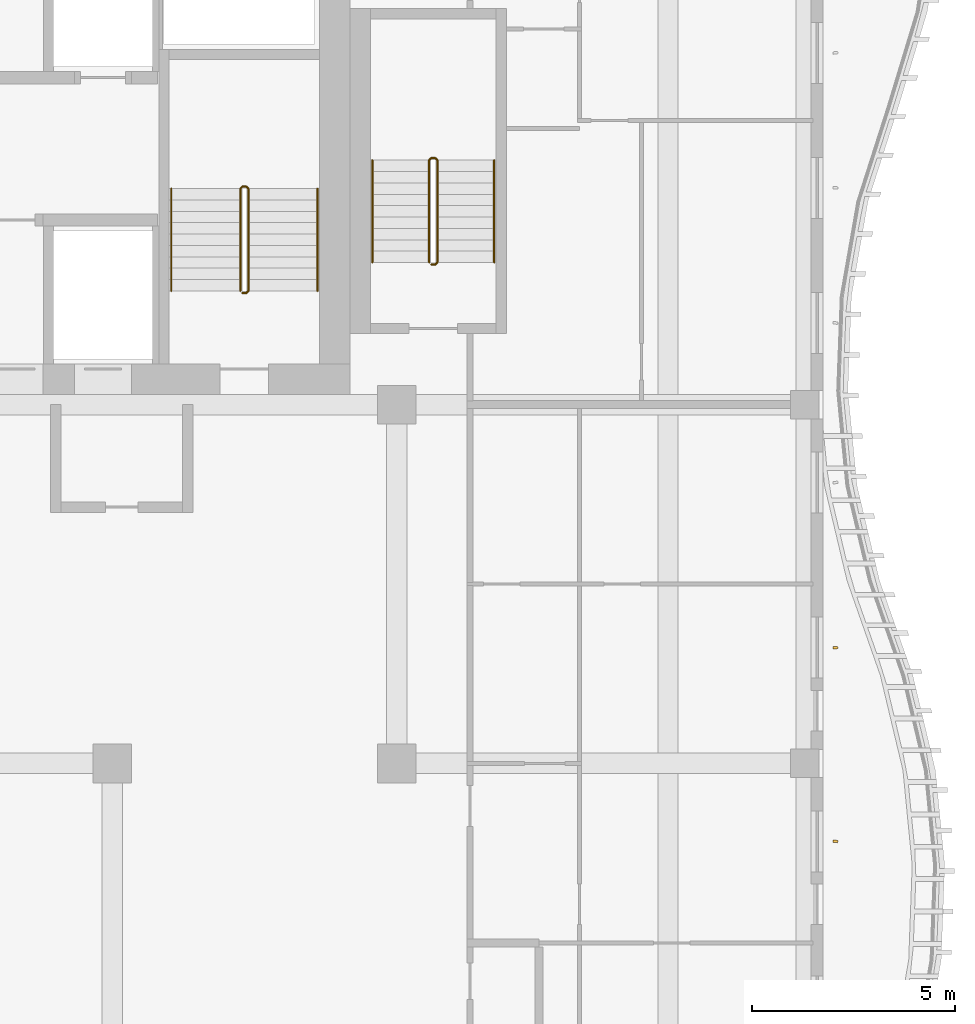
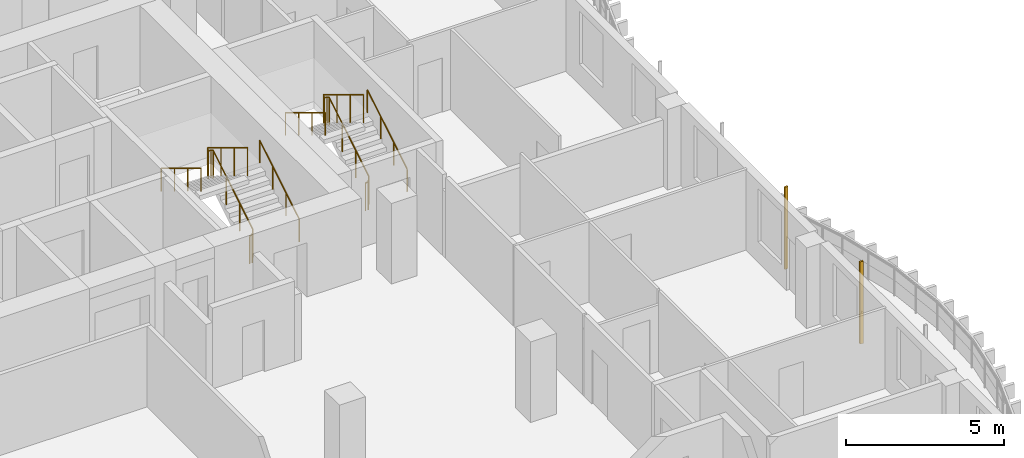
# One storey, part 17 of 19: 6 railings, 2 shading devices.
"""IFC4 building model written with IfcOpenShell, lengths in metres."""

from ifc_helpers import new_model, si_unit, direction, frame, origin, origin_2d, place, context, subcontext, project, spatial, rectangle, circle, extrude, source, transform, mapped, material, material_profile, profile_set, type_object, element, save


model = new_model("IFC4")

# Units and contexts
model_context = context("Model", 3, precision=1e-05, world=origin(), true_north=direction((0.0, 1.0)))
body_context = subcontext(model_context, "Body", "Model", "MODEL_VIEW")
ifc_project = project(units=[si_unit("LENGTHUNIT", "METRE"), si_unit("AREAUNIT", "SQUARE_METRE"), si_unit("VOLUMEUNIT", "CUBIC_METRE"), si_unit("PLANEANGLEUNIT", "RADIAN"), si_unit("MASSUNIT", "GRAM", prefix="KILO")], contexts=[model_context])

# Site, building, storey
site_placement = place(None, origin())
site = spatial("IfcSite", under=ifc_project, at=site_placement, CompositionType="ELEMENT")
building_placement = place(site_placement, origin())
building = spatial("IfcBuilding", under=site, at=building_placement, Name="Kilnfold Tower and Market Hall", CompositionType="ELEMENT")
storey_placement = place(building_placement, frame((0.0, 0.0, 245.800048828125)))
storey = spatial("IfcBuildingStorey", under=building, at=storey_placement, Name="L59", CompositionType="ELEMENT", Elevation=245.800048828125)

# Railings
ifc_material_1 = material(Name="Stainless steel 316", Category="steel")
railing_type_1 = type_object("IfcRailingType", Name="CORE STAIR GUARD 1100", PredefinedType="GUARDRAIL", material=ifc_material_1)
railing_1_placement = place(storey_placement, frame((15.199951171875, 10.75, 0.0)))
element("IfcRailing", 1, at=railing_1_placement, inside=storey, type_object=railing_type_1, Name="L59 ST2 stair guard 1", PredefinedType="GUARDRAIL", context=body_context, shape_type="SweptSolid", body=[
    extrude(circle(Radius=0.02392578125, at=origin_2d()), frame((0.0, 0.0, 1.076171875), z_axis=(1.0, 0.0, 0.0), x_axis=(0.0, 1.0, 0.0)), (0.0, 0.0, 1.0), 0.10009765625),
    extrude(circle(Radius=0.02392578125, at=origin_2d()), frame((0.10009765625, 0.0, 1.076171875), z_axis=(0.271895245746, 0.271895245746, 0.923117517265), x_axis=(-0.707106781187, 0.707106781187, 0.0)), (0.0, 0.0, 1.0), 0.18408203125),
    extrude(circle(Radius=0.02392578125, at=origin_2d()), frame((0.150146484375, 0.050048828125, 1.24609375), z_axis=(0.0, 0.85478489116, 0.518982456201), x_axis=(-1.0, 0.0, 0.0)), (0.0, 0.0, 1.0), 2.9482421875),
    extrude(circle(Radius=0.02392578125, at=origin_2d()), frame((0.150146484375, 2.570068359375, 2.77587890625), z_axis=(-0.707106781187, 0.707106781187, 0.0), x_axis=(-0.707106781187, -0.707106781187, 0.0)), (0.0, 0.0, 1.0), 0.07080078125),
    extrude(circle(Radius=0.02392578125, at=origin_2d()), frame((0.10009765625, 2.6201171875, 2.77587890625), z_axis=(-1.0, 0.0, 0.0), x_axis=(0.0, -1.0, 0.0)), (0.0, 0.0, 1.0), 0.10009765625),
    extrude(circle(Radius=0.02392578125, at=origin_2d()), frame((0.0, 2.6201171875, 2.77587890625), z_axis=(-0.271895245746, -0.271895245746, 0.923117517265), x_axis=(0.707106781187, -0.707106781187, 0.0)), (0.0, 0.0, 1.0), 0.18408203125),
    extrude(circle(Radius=0.02392578125, at=origin_2d()), frame((-0.050048828125, 2.570068359375, 2.94580078125), z_axis=(0.0, -0.85478489116, 0.518982456201), x_axis=(1.0, 0.0, 0.0)), (0.0, 0.0, 1.0), 2.9482421875),
    extrude(circle(Radius=0.02099609375, at=origin_2d()), origin(), (0.0, 0.0, 1.0), 1.052001953125),
    extrude(circle(Radius=0.02099609375, at=origin_2d()), frame((0.10009765625, 0.0, 0.0)), (0.0, 0.0, 1.0), 1.052001953125),
    extrude(circle(Radius=0.02099609375, at=origin_2d()), frame((0.150146484375, 0.050048828125, 0.169921875)), (0.0, 0.0, 1.0), 1.052001953125),
    extrude(circle(Radius=0.02099609375, at=origin_2d()), frame((0.150146484375, 0.89013671875, 0.679931640625)), (0.0, 0.0, 1.0), 1.052001953125),
    extrude(circle(Radius=0.02099609375, at=origin_2d()), frame((0.150146484375, 1.72998046875, 1.18994140625)), (0.0, 0.0, 1.0), 1.052001953125),
    extrude(circle(Radius=0.02099609375, at=origin_2d()), frame((0.150146484375, 2.570068359375, 1.699951171875)), (0.0, 0.0, 1.0), 1.052001953125),
    extrude(circle(Radius=0.02099609375, at=origin_2d()), frame((0.10009765625, 2.6201171875, 1.699951171875)), (0.0, 0.0, 1.0), 1.052001953125),
    extrude(circle(Radius=0.02099609375, at=origin_2d()), frame((0.0, 2.6201171875, 1.699951171875)), (0.0, 0.0, 1.0), 1.052001953125),
    extrude(circle(Radius=0.02099609375, at=origin_2d()), frame((-0.050048828125, 2.570068359375, 1.869873046875)), (0.0, 0.0, 1.0), 1.052001953125),
    extrude(circle(Radius=0.02099609375, at=origin_2d()), frame((-0.050048828125, 1.72998046875, 2.3798828125)), (0.0, 0.0, 1.0), 1.052001953125),
    extrude(circle(Radius=0.02099609375, at=origin_2d()), frame((-0.050048828125, 0.89013671875, 2.889892578125)), (0.0, 0.0, 1.0), 1.052001953125),
    extrude(circle(Radius=0.02099609375, at=origin_2d()), frame((-0.050048828125, 0.050048828125, 3.39990234375)), (0.0, 0.0, 1.0), 1.052001953125),
])
railing_2_placement = place(storey_placement, frame((19.85009765625, 11.449951171875, 0.0)))
element("IfcRailing", 2, at=railing_2_placement, inside=storey, type_object=railing_type_1, Name="L59 ST5 stair guard 1", PredefinedType="GUARDRAIL", context=body_context, shape_type="SweptSolid", body=[
    extrude(circle(Radius=0.02392578125, at=origin_2d()), frame((0.0, 0.0, 1.076171875), z_axis=(1.0, 0.0, 0.0), x_axis=(0.0, 1.0, 0.0)), (0.0, 0.0, 1.0), 0.099853515625),
    extrude(circle(Radius=0.02392578125, at=origin_2d()), frame((0.099853515625, 0.0, 1.076171875), z_axis=(0.271895245746, 0.271895245746, 0.923117517265), x_axis=(-0.707106781187, 0.707106781187, 0.0)), (0.0, 0.0, 1.0), 0.18408203125),
    extrude(circle(Radius=0.02392578125, at=origin_2d()), frame((0.14990234375, 0.050048828125, 1.24609375), z_axis=(0.0, 0.85478489116, 0.518982456201), x_axis=(-1.0, 0.0, 0.0)), (0.0, 0.0, 1.0), 2.9482421875),
    extrude(circle(Radius=0.02392578125, at=origin_2d()), frame((0.14990234375, 2.570068359375, 2.77587890625), z_axis=(-0.707106781187, 0.707106781187, 0.0), x_axis=(-0.707106781187, -0.707106781187, 0.0)), (0.0, 0.0, 1.0), 0.07080078125),
    extrude(circle(Radius=0.02392578125, at=origin_2d()), frame((0.099853515625, 2.6201171875, 2.77587890625), z_axis=(-1.0, 0.0, 0.0), x_axis=(0.0, -1.0, 0.0)), (0.0, 0.0, 1.0), 0.099853515625),
    extrude(circle(Radius=0.02392578125, at=origin_2d()), frame((0.0, 2.6201171875, 2.77587890625), z_axis=(-0.271895245746, -0.271895245746, 0.923117517265), x_axis=(0.707106781187, -0.707106781187, 0.0)), (0.0, 0.0, 1.0), 0.18408203125),
    extrude(circle(Radius=0.02392578125, at=origin_2d()), frame((-0.050048828125, 2.570068359375, 2.94580078125), z_axis=(0.0, -0.85478489116, 0.518982456201), x_axis=(1.0, 0.0, 0.0)), (0.0, 0.0, 1.0), 2.9482421875),
    extrude(circle(Radius=0.02099609375, at=origin_2d()), origin(), (0.0, 0.0, 1.0), 1.052001953125),
    extrude(circle(Radius=0.02099609375, at=origin_2d()), frame((0.099853515625, 0.0, 0.0)), (0.0, 0.0, 1.0), 1.052001953125),
    extrude(circle(Radius=0.02099609375, at=origin_2d()), frame((0.14990234375, 0.050048828125, 0.169921875)), (0.0, 0.0, 1.0), 1.052001953125),
    extrude(circle(Radius=0.02099609375, at=origin_2d()), frame((0.14990234375, 0.89013671875, 0.679931640625)), (0.0, 0.0, 1.0), 1.052001953125),
    extrude(circle(Radius=0.02099609375, at=origin_2d()), frame((0.14990234375, 1.72998046875, 1.18994140625)), (0.0, 0.0, 1.0), 1.052001953125),
    extrude(circle(Radius=0.02099609375, at=origin_2d()), frame((0.14990234375, 2.570068359375, 1.699951171875)), (0.0, 0.0, 1.0), 1.052001953125),
    extrude(circle(Radius=0.02099609375, at=origin_2d()), frame((0.099853515625, 2.6201171875, 1.699951171875)), (0.0, 0.0, 1.0), 1.052001953125),
    extrude(circle(Radius=0.02099609375, at=origin_2d()), frame((0.0, 2.6201171875, 1.699951171875)), (0.0, 0.0, 1.0), 1.052001953125),
    extrude(circle(Radius=0.02099609375, at=origin_2d()), frame((-0.050048828125, 2.570068359375, 1.869873046875)), (0.0, 0.0, 1.0), 1.052001953125),
    extrude(circle(Radius=0.02099609375, at=origin_2d()), frame((-0.050048828125, 1.72998046875, 2.3798828125)), (0.0, 0.0, 1.0), 1.052001953125),
    extrude(circle(Radius=0.02099609375, at=origin_2d()), frame((-0.050048828125, 0.89013671875, 2.889892578125)), (0.0, 0.0, 1.0), 1.052001953125),
    extrude(circle(Radius=0.02099609375, at=origin_2d()), frame((-0.050048828125, 0.050048828125, 3.39990234375)), (0.0, 0.0, 1.0), 1.052001953125),
])
ifc_material_2 = material(Name="Stainless steel 316", Category="steel")
railing_type_2 = type_object("IfcRailingType", Name="CORE STAIR HANDRAIL 900", PredefinedType="HANDRAIL", material=ifc_material_2)
railing_3_placement = place(storey_placement, frame((17.050048828125, 10.800048828125, 0.169921875)))
element("IfcRailing", 3, at=railing_3_placement, inside=storey, type_object=railing_type_2, Name="L59 ST2 stair handrail 1", PredefinedType="HANDRAIL", context=body_context, shape_type="SweptSolid", body=[
    extrude(circle(Radius=0.02392578125, at=origin_2d()), frame((0.0, 0.0, 0.8759765625), z_axis=(0.0, 0.85478489116, 0.518982456201), x_axis=(-1.0, 0.0, 0.0)), (0.0, 0.0, 1.0), 2.9482421875),
    extrude(circle(Radius=0.02099609375, at=origin_2d()), origin(), (0.0, 0.0, 1.0), 0.851806640625),
    extrude(circle(Radius=0.02099609375, at=origin_2d()), frame((0.0, 0.840087890625, 0.510009765625)), (0.0, 0.0, 1.0), 0.851806640625),
    extrude(circle(Radius=0.02099609375, at=origin_2d()), frame((0.0, 1.679931640625, 1.02001953125)), (0.0, 0.0, 1.0), 0.851806640625),
    extrude(circle(Radius=0.02099609375, at=origin_2d()), frame((0.0, 2.52001953125, 1.530029296875)), (0.0, 0.0, 1.0), 0.851806640625),
])
railing_4_placement = place(storey_placement, frame((13.449951171875, 13.320068359375, 1.869873046875)))
element("IfcRailing", 4, at=railing_4_placement, inside=storey, type_object=railing_type_2, Name="L59 ST2 stair handrail 2", PredefinedType="HANDRAIL", context=body_context, shape_type="SweptSolid", body=[
    extrude(circle(Radius=0.02392578125, at=origin_2d()), frame((0.0, 0.0, 0.8759765625), z_axis=(0.0, -0.85478489116, 0.518982456201), x_axis=(1.0, 0.0, 0.0)), (0.0, 0.0, 1.0), 2.9482421875),
    extrude(circle(Radius=0.02099609375, at=origin_2d()), origin(), (0.0, 0.0, 1.0), 0.851806640625),
    extrude(circle(Radius=0.02099609375, at=origin_2d()), frame((0.0, -0.840087890625, 0.510009765625)), (0.0, 0.0, 1.0), 0.851806640625),
    extrude(circle(Radius=0.02099609375, at=origin_2d()), frame((0.0, -1.679931640625, 1.02001953125)), (0.0, 0.0, 1.0), 0.851806640625),
    extrude(circle(Radius=0.02099609375, at=origin_2d()), frame((0.0, -2.52001953125, 1.530029296875)), (0.0, 0.0, 1.0), 0.851806640625),
])
railing_5_placement = place(storey_placement, frame((21.39990234375, 11.5, 0.169921875)))
element("IfcRailing", 5, at=railing_5_placement, inside=storey, type_object=railing_type_2, Name="L59 ST5 stair handrail 1", PredefinedType="HANDRAIL", context=body_context, shape_type="SweptSolid", body=[
    extrude(circle(Radius=0.02392578125, at=origin_2d()), frame((0.0, 0.0, 0.8759765625), z_axis=(0.0, 0.85478489116, 0.518982456201), x_axis=(-1.0, 0.0, 0.0)), (0.0, 0.0, 1.0), 2.9482421875),
    extrude(circle(Radius=0.02099609375, at=origin_2d()), origin(), (0.0, 0.0, 1.0), 0.851806640625),
    extrude(circle(Radius=0.02099609375, at=origin_2d()), frame((0.0, 0.840087890625, 0.510009765625)), (0.0, 0.0, 1.0), 0.851806640625),
    extrude(circle(Radius=0.02099609375, at=origin_2d()), frame((0.0, 1.679931640625, 1.02001953125)), (0.0, 0.0, 1.0), 0.851806640625),
    extrude(circle(Radius=0.02099609375, at=origin_2d()), frame((0.0, 2.52001953125, 1.530029296875)), (0.0, 0.0, 1.0), 0.851806640625),
])
railing_6_placement = place(storey_placement, frame((18.39990234375, 14.02001953125, 1.869873046875)))
element("IfcRailing", 6, at=railing_6_placement, inside=storey, type_object=railing_type_2, Name="L59 ST5 stair handrail 2", PredefinedType="HANDRAIL", context=body_context, shape_type="SweptSolid", body=[
    extrude(circle(Radius=0.02392578125, at=origin_2d()), frame((0.0, 0.0, 0.8759765625), z_axis=(0.0, -0.85478489116, 0.518982456201), x_axis=(1.0, 0.0, 0.0)), (0.0, 0.0, 1.0), 2.9482421875),
    extrude(circle(Radius=0.02099609375, at=origin_2d()), origin(), (0.0, 0.0, 1.0), 0.851806640625),
    extrude(circle(Radius=0.02099609375, at=origin_2d()), frame((0.0, -0.840087890625, 0.510009765625)), (0.0, 0.0, 1.0), 0.851806640625),
    extrude(circle(Radius=0.02099609375, at=origin_2d()), frame((0.0, -1.679931640625, 1.02001953125)), (0.0, 0.0, 1.0), 0.851806640625),
    extrude(circle(Radius=0.02099609375, at=origin_2d()), frame((0.0, -2.52001953125, 1.530029296875)), (0.0, 0.0, 1.0), 0.851806640625),
])

# Shading devices
ifc_material_3 = material(Name="Terracotta", Category="masonry")
ifc_material_profile = material_profile(ifc_material_3, rectangle(XDim=0.06005859375, YDim=0.1201171875, at=origin_2d()), Name="BAG 60x120")
ifc_profile_set = profile_set([ifc_material_profile], Name="Terracotta")
shading_device_type = type_object("IfcShadingDeviceType", Name="BAGUETTE", PredefinedType="USERDEFINED", material=ifc_profile_set)
shared_shape = source(origin(), body_context, "Body", "SweptSolid", [
    extrude(rectangle(XDim=0.06005859375, YDim=0.1201171875, at=origin_2d()), origin(), (0.0, 0.0, 1.0), 3.179931640625),
])
for number, where, z_axis, x_axis, name in (
    (7, (29.800048828125, -2.75, 0.0), (0.0, 0.0, 1.0), (0.136464269062, 0.990644993562, 0.0), "Terracotta baguette L59 E"),
    (8, (29.800048828125, 2.0166015625, 0.0), (0.0, 0.0, 1.0), (-0.096721311553, 0.995311502943, 0.0), "Terracotta baguette L59 E"),
):
    element("IfcShadingDevice", number, at=place(storey_placement, frame(where, z_axis=z_axis, x_axis=x_axis)), inside=storey, type_object=shading_device_type, Name=name, ObjectType="BAGUETTE", PredefinedType="USERDEFINED", context=body_context, shape_type="MappedRepresentation", body=[
        mapped(shared_shape, transform((0.0, 0.0, 0.0))),
    ])

save(model, "model.ifc")
